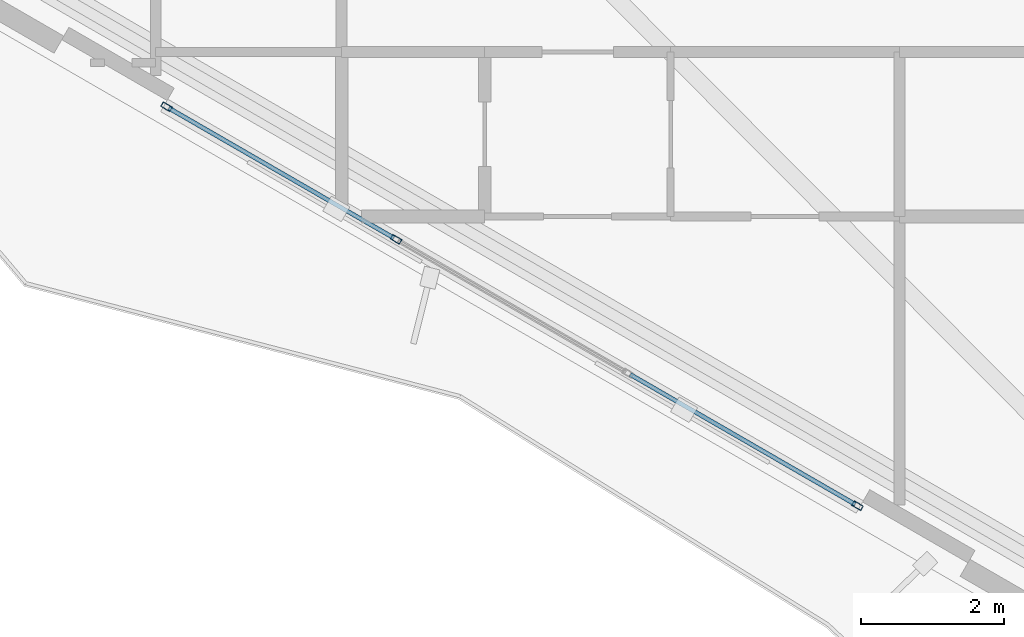
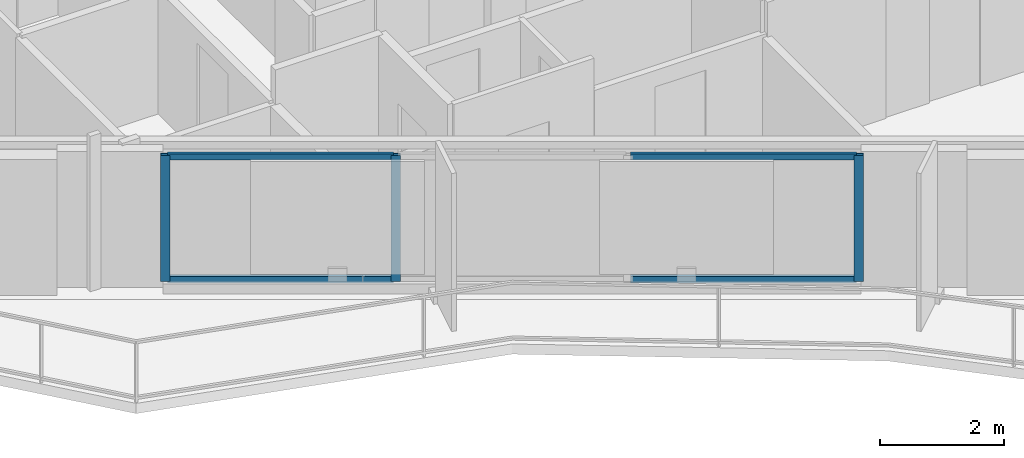
# One storey, part 2 of 23: 7 members, 1 element without a shape of its own.
"""IFC4 building model written with IfcOpenShell, lengths in metres."""

import ifcopenshell
import ifcopenshell.guid

model = None  # the IFC model being written
_history = None  # IfcOwnerHistory: only IFC2X3 demands one
_inside = {}  # id of a spatial element -> (the spatial element, [elements in it])
_under = {}  # id of a project, library or spatial element -> (it, [spatial elements below it])
_declared = {}  # id of a project -> (the project, [libraries it declares])
_typed = {}  # id of a type object -> (the type object, [elements of that type])
_made_of = {}  # id of a material, layer set ... -> (it, [elements and type objects made of it])


def new_model(schema):
    """Start an empty IFC model of exactly this schema.

    Asked for "IFC4X3", IfcOpenShell would pick the latest addendum, in which some entities
    have other attributes; the version numbers below select the first issue.
    IFC2X3 requires an IfcOwnerHistory on every rooted entity: one is made here for all.
    """
    global model, _history
    if schema == "IFC4X3":
        model = ifcopenshell.file(schema_version=(4, 3, 0, 0))
    else:
        model = ifcopenshell.file(schema=schema)
    _inside.clear()
    _under.clear()
    _declared.clear()
    _typed.clear()
    _made_of.clear()
    _history = None
    if model.schema == "IFC2X3":
        org = make("IfcOrganization", Name="unknown")
        user = make(
            "IfcPersonAndOrganization",
            ThePerson=make("IfcPerson", FamilyName="unknown"),
            TheOrganization=org,
        )
        app = make(
            "IfcApplication",
            ApplicationDeveloper=org,
            Version="unknown",
            ApplicationFullName="unknown",
            ApplicationIdentifier="unknown",
        )
        _history = make(
            "IfcOwnerHistory",
            OwningUser=user,
            OwningApplication=app,
            ChangeAction="ADDED",
            CreationDate=0,
        )
    return model


def make(cls, **values):
    """One entity of the class cls with the attributes given. An attribute that is None is left unset."""
    return model.create_entity(
        cls, **{name: value for name, value in values.items() if value is not None}
    )


def rooted(cls, **values):
    """An entity with a GlobalId (a new one), such as an element, a storey or a relation."""
    return make(cls, GlobalId=ifcopenshell.guid.new(), OwnerHistory=_history, **values)


def si_unit(unit_type, name, prefix=None):
    """IfcSIUnit, for example si_unit("LENGTHUNIT", "METRE", prefix="MILLI")."""
    return make("IfcSIUnit", UnitType=unit_type, Prefix=prefix, Name=name)


def assignment(units):
    """IfcUnitAssignment: the units of a project."""
    return None if units is None else make("IfcUnitAssignment", Units=units)


def point(xyz):
    """IfcCartesianPoint."""
    return None if xyz is None else make("IfcCartesianPoint", Coordinates=xyz)


def direction(xyz):
    """IfcDirection."""
    return None if xyz is None else make("IfcDirection", DirectionRatios=xyz)


def frame(location, z_axis=None, x_axis=None):
    """IfcAxis2Placement3D, a coordinate frame: its origin and axes. An axis left out is left unset."""
    return make(
        "IfcAxis2Placement3D",
        Location=point(location),
        Axis=direction(z_axis),
        RefDirection=direction(x_axis),
    )


def frame_2d(location, x_axis=None):
    """IfcAxis2Placement2D, a coordinate frame in the plane: its origin and x axis."""
    return make(
        "IfcAxis2Placement2D", Location=point(location), RefDirection=direction(x_axis)
    )


def origin():
    """The frame at (0, 0, 0) with its axes left unset."""
    return frame((0.0, 0.0, 0.0))


def origin_2d():
    """The frame at (0, 0) in the plane with its x axis left unset."""
    return frame_2d((0.0, 0.0))


def place(relative_to, where):
    """IfcLocalPlacement: puts the frame where relative to a parent placement (None: the world)."""
    return make(
        "IfcLocalPlacement", PlacementRelTo=relative_to, RelativePlacement=where
    )


def context(
    kind, dimensions, precision=None, world=None, true_north=None, identifier=None
):
    """IfcGeometricRepresentationContext, for example the 3D "Model" context."""
    return make(
        "IfcGeometricRepresentationContext",
        ContextIdentifier=identifier,
        ContextType=kind,
        CoordinateSpaceDimension=dimensions,
        Precision=precision,
        WorldCoordinateSystem=world,
        TrueNorth=true_north,
    )


def subcontext(parent, identifier, kind, view, scale=None):
    """IfcGeometricRepresentationSubContext, for example "Body" below "Model"."""
    return make(
        "IfcGeometricRepresentationSubContext",
        ContextIdentifier=identifier,
        ContextType=kind,
        ParentContext=parent,
        TargetScale=scale,
        TargetView=view,
    )


def project(units=None, contexts=None):
    """IfcProject with its units and contexts."""
    return rooted(
        "IfcProject",
        Name="project",
        RepresentationContexts=contexts,
        UnitsInContext=assignment(units),
    )


def spatial(cls, under=None, at=None, **own):
    """A site, building, storey or space (cls), placed at a placement, below another one or the project."""
    s = rooted(cls, ObjectPlacement=at, **own)
    if under is not None:
        _under.setdefault(under.id(), (under, []))[1].append(s)
    return s


def profile(cls, at=None, kind="AREA", **sizes):
    """A parametric profile (cls). Its sizes go by their IFC names, for example OverallWidth=200.0."""
    return make(cls, ProfileType=kind, Position=at, **sizes)


def hollow_rectangle(**sizes):
    """IfcRectangleHollowProfileDef."""
    return profile("IfcRectangleHollowProfileDef", **sizes)


def extrude(swept, where, along, depth):
    """IfcExtrudedAreaSolid: the profile swept, set in the frame where, extruded along a direction by depth."""
    return make(
        "IfcExtrudedAreaSolid",
        SweptArea=swept,
        Position=where,
        ExtrudedDirection=direction(along),
        Depth=depth,
    )


def shape(context_of_items, identifier, shape_type, items):
    """IfcShapeRepresentation: the items that make up one representation, for example the "Body"."""
    return make(
        "IfcShapeRepresentation",
        ContextOfItems=context_of_items,
        RepresentationIdentifier=identifier,
        RepresentationType=shape_type,
        Items=items,
    )


def material(Name=None, Category=None):
    """IfcMaterial."""
    return make("IfcMaterial", Name=Name, Category=Category)


def layer(
    of_material, thickness, ventilated=None, Name=None, Category=None, Priority=None
):
    """IfcMaterialLayer: one layer of a wall or slab, of a material (None: an air gap)."""
    return make(
        "IfcMaterialLayer",
        Material=of_material,
        LayerThickness=thickness,
        IsVentilated=ventilated,
        Name=Name,
        Category=Category,
        Priority=Priority,
    )


def layer_set(layers, Name=None):
    """IfcMaterialLayerSet."""
    return make("IfcMaterialLayerSet", MaterialLayers=layers, LayerSetName=Name)


def material_profile(
    of_material, cross_section, Name=None, Category=None, Priority=None
):
    """IfcMaterialProfile: a cross section and its material."""
    return make(
        "IfcMaterialProfile",
        Name=Name,
        Material=of_material,
        Profile=cross_section,
        Priority=Priority,
        Category=Category,
    )


def profile_set(profiles, Name=None, composite=None):
    """IfcMaterialProfileSet."""
    return make(
        "IfcMaterialProfileSet",
        Name=Name,
        MaterialProfiles=profiles,
        CompositeProfile=composite,
    )


def made_of(thing, what):
    """Note that an element or type object is made of a material, layer set ...; save() writes the relation."""
    if what is not None:
        _made_of.setdefault(what.id(), (what, []))[1].append(thing)
    return thing


def type_object(cls, material=None, **own):
    """A type object (cls), such as IfcWallType, which elements share."""
    return made_of(rooted(cls, **own), material)


def element(
    cls,
    number,
    at=None,
    inside=None,
    cuts=None,
    type_object=None,
    material=None,
    context=None,
    identifier="Body",
    shape_type=None,
    held_by="IfcProductDefinitionShape",
    body=None,
    shapes=None,
    **own,
):
    """One element of the class cls, such as IfcWall. Its Tag is "e" and its number.

    at: its placement. inside: the storey or other place that contains it. cuts: it is an
    opening in that element (IfcRelVoidsElement). A single representation is given by context,
    identifier, shape_type and body (its items); several are given by shapes. held_by: the class
    of the entity that holds the representations. save() writes the other relations.
    """
    e = rooted(cls, Tag="e%d" % number, ObjectPlacement=at, **own)
    if body is not None:
        shapes = [shape(context, identifier, shape_type, body)]
    if shapes is not None:
        e.Representation = make(held_by, Representations=shapes)
    if inside is not None:
        _inside.setdefault(inside.id(), (inside, []))[1].append(e)
    if cuts is not None:
        rooted(
            "IfcRelVoidsElement", RelatingBuildingElement=cuts, RelatedOpeningElement=e
        )
    if type_object is not None:
        _typed.setdefault(type_object.id(), (type_object, []))[1].append(e)
    return made_of(e, material)


def aggregate(whole, parts):
    """IfcRelAggregates: a whole, such as a stair, and the parts it consists of."""
    return rooted("IfcRelAggregates", RelatingObject=whole, RelatedObjects=parts)


def save(model, path):
    """Write the relations noted so far, then the file.

    IfcRelAggregates (storeys below a building ...), IfcRelContainedInSpatialStructure (elements
    in a storey), IfcRelDefinesByType, IfcRelAssociatesMaterial and IfcRelDeclares: one each for
    every whole, place, type object, material and project.
    """
    for whole, parts in _under.values():
        aggregate(whole, parts)
    for where, things in _inside.values():
        rooted(
            "IfcRelContainedInSpatialStructure",
            RelatedElements=things,
            RelatingStructure=where,
        )
    for kind, things in _typed.values():
        rooted("IfcRelDefinesByType", RelatedObjects=things, RelatingType=kind)
    for what, things in _made_of.values():
        rooted("IfcRelAssociatesMaterial", RelatedObjects=things, RelatingMaterial=what)
    for by, libraries in _declared.values():
        rooted("IfcRelDeclares", RelatingContext=by, RelatedDefinitions=libraries)
    model.write(path)


model = new_model("IFC4")

# Units and contexts
model_context = context("Model", 3, precision=1e-05, world=origin(), true_north=direction((0.0, 1.0)))
body_context = subcontext(model_context, "Body", "Model", "MODEL_VIEW")
ifc_project = project(units=[si_unit("LENGTHUNIT", "METRE"), si_unit("AREAUNIT", "SQUARE_METRE"), si_unit("VOLUMEUNIT", "CUBIC_METRE"), si_unit("PLANEANGLEUNIT", "RADIAN"), si_unit("MASSUNIT", "GRAM", prefix="KILO")], contexts=[model_context])

# Site, building, storey
site_placement = place(None, origin())
site = spatial("IfcSite", under=ifc_project, at=site_placement, CompositionType="ELEMENT")
building_placement = place(site_placement, origin())
building = spatial("IfcBuilding", under=site, at=building_placement, Name="Mersakhor Tower and Convention Hall", CompositionType="ELEMENT")
storey_placement = place(building_placement, frame((0.0, 0.0, 93.300048828125)))
storey = spatial("IfcBuildingStorey", under=building, at=storey_placement, Name="L25", CompositionType="ELEMENT", Elevation=93.300048828125)

# Curtain wall, members
ifc_material_1 = material(Name="Dark solar low-E aluminium curtain wall", Category="aluminium")
ifc_layer = layer(ifc_material_1, 0.159912109375)
ifc_layer_set = layer_set([ifc_layer], Name="Dark solar low-E aluminium curtain wall")
curtain_wall_type = type_object("IfcCurtainWallType", Name="CW-SYS-01", PredefinedType="USERDEFINED", material=ifc_layer_set)
curtain_wall_placement = place(storey_placement, origin())
curtain_wall = element("IfcCurtainWall", 1, at=curtain_wall_placement, inside=storey, type_object=curtain_wall_type, Name="L25 Dark-Glass Curtain Wall F3-B2", ObjectType="CURTAIN WALL", PredefinedType="USERDEFINED")
ifc_material_2 = material(Name="Anodised aluminium EN AW-6063 T6", Category="aluminium")
ifc_material_profile_1 = material_profile(ifc_material_2, hollow_rectangle(XDim=0.074951171875, YDim=0.14990234375, WallThickness=0.00634765625, at=origin_2d()), Name="RHS 150x75x6.3")
ifc_profile_set_1 = profile_set([ifc_material_profile_1], Name="Anodised aluminium EN AW-6063 T6")
member_type_1 = type_object("IfcMemberType", Name="CWM-150x75", PredefinedType="MULLION", material=ifc_profile_set_1)
member_1_placement = place(storey_placement, frame((26.812744140625, 11.80712890625, 0.199951171875), z_axis=(0.0, 0.0, 1.0), x_axis=(-0.499997904985, -0.866026613339, 0.0)))
member_1 = element("IfcMember", 2, at=member_1_placement, type_object=member_type_1, Name="CW-01 mullion 1", PredefinedType="MULLION", context=body_context, shape_type="SweptSolid", body=[
    extrude(hollow_rectangle(XDim=0.074951171875, YDim=0.14990234375, WallThickness=0.00634765625, at=origin_2d()), origin(), (0.0, 0.0, 1.0), 2.469970703125),
])
member_2_placement = place(storey_placement, frame((20.36181640625, 15.531494140625, 0.199951171875), z_axis=(0.0, 0.0, 1.0), x_axis=(-0.499997904985, -0.866026613339, 0.0)))
member_2 = element("IfcMember", 3, at=member_2_placement, type_object=member_type_1, Name="CW-01 mullion 3", PredefinedType="MULLION", context=body_context, shape_type="SweptSolid", body=[
    extrude(hollow_rectangle(XDim=0.074951171875, YDim=0.14990234375, WallThickness=0.00634765625, at=origin_2d()), origin(), (0.0, 0.0, 1.0), 2.469970703125),
])
member_3_placement = place(storey_placement, frame((17.152587890625, 17.38427734375, 0.199951171875), z_axis=(0.0, 0.0, 1.0), x_axis=(-0.499997904985, -0.866026613339, 0.0)))
member_3 = element("IfcMember", 4, at=member_3_placement, type_object=member_type_1, Name="CW-01 mullion 4", PredefinedType="MULLION", context=body_context, shape_type="SweptSolid", body=[
    extrude(hollow_rectangle(XDim=0.074951171875, YDim=0.14990234375, WallThickness=0.00634765625, at=origin_2d()), origin(), (0.0, 0.0, 1.0), 2.469970703125),
])
ifc_material_3 = material(Name="Anodised aluminium EN AW-6063 T6", Category="aluminium")
ifc_material_profile_2 = material_profile(ifc_material_3, hollow_rectangle(XDim=0.06005859375, YDim=0.1201171875, WallThickness=0.0048828125, at=origin_2d()), Name="RHS 120x60x5")
ifc_profile_set_2 = profile_set([ifc_material_profile_2], Name="Anodised aluminium EN AW-6063 T6")
member_type_2 = type_object("IfcMemberType", Name="CWT-120x60", PredefinedType="USERDEFINED", material=ifc_profile_set_2)
member_4_placement = place(storey_placement, frame((26.7802734375, 11.82568359375, 0.22998046875), z_axis=(-0.866016497289, 0.500015426185, 0.0), x_axis=(-0.500015426185, -0.866016497289, 0.0)))
member_4 = element("IfcMember", 5, at=member_4_placement, type_object=member_type_2, Name="CW-01 transom 1.1", ObjectType="TRANSOM", PredefinedType="USERDEFINED", context=body_context, shape_type="SweptSolid", body=[
    extrude(hollow_rectangle(XDim=0.06005859375, YDim=0.1201171875, WallThickness=0.0048828125, at=origin_2d()), origin(), (0.0, 0.0, 1.0), 3.630859375),
])
member_5_placement = place(storey_placement, frame((26.7802734375, 11.82568359375, 2.639892578125), z_axis=(-0.866016497289, 0.500015426185, 0.0), x_axis=(-0.500015426185, -0.866016497289, 0.0)))
member_5 = element("IfcMember", 6, at=member_5_placement, type_object=member_type_2, Name="CW-01 transom 1.2", ObjectType="TRANSOM", PredefinedType="USERDEFINED", context=body_context, shape_type="SweptSolid", body=[
    extrude(hollow_rectangle(XDim=0.06005859375, YDim=0.1201171875, WallThickness=0.0048828125, at=origin_2d()), origin(), (0.0, 0.0, 1.0), 3.630859375),
])
member_6_placement = place(storey_placement, frame((20.329345703125, 15.55029296875, 0.22998046875), z_axis=(-0.866045614266, 0.499964992784, 0.0), x_axis=(-0.499964992784, -0.866045614266, 0.0)))
member_6 = element("IfcMember", 7, at=member_6_placement, type_object=member_type_2, Name="CW-01 transom 3.1", ObjectType="TRANSOM", PredefinedType="USERDEFINED", context=body_context, shape_type="SweptSolid", body=[
    extrude(hollow_rectangle(XDim=0.06005859375, YDim=0.1201171875, WallThickness=0.0048828125, at=origin_2d()), origin(), (0.0, 0.0, 1.0), 3.630615234375),
])
member_7_placement = place(storey_placement, frame((20.329345703125, 15.55029296875, 2.639892578125), z_axis=(-0.866045614266, 0.499964992784, 0.0), x_axis=(-0.499964992784, -0.866045614266, 0.0)))
member_7 = element("IfcMember", 8, at=member_7_placement, type_object=member_type_2, Name="CW-01 transom 3.2", ObjectType="TRANSOM", PredefinedType="USERDEFINED", context=body_context, shape_type="SweptSolid", body=[
    extrude(hollow_rectangle(XDim=0.06005859375, YDim=0.1201171875, WallThickness=0.0048828125, at=origin_2d()), origin(), (0.0, 0.0, 1.0), 3.630615234375),
])
aggregate(curtain_wall, [member_1, member_2, member_3, member_4, member_5, member_6, member_7])

save(model, "model.ifc")
